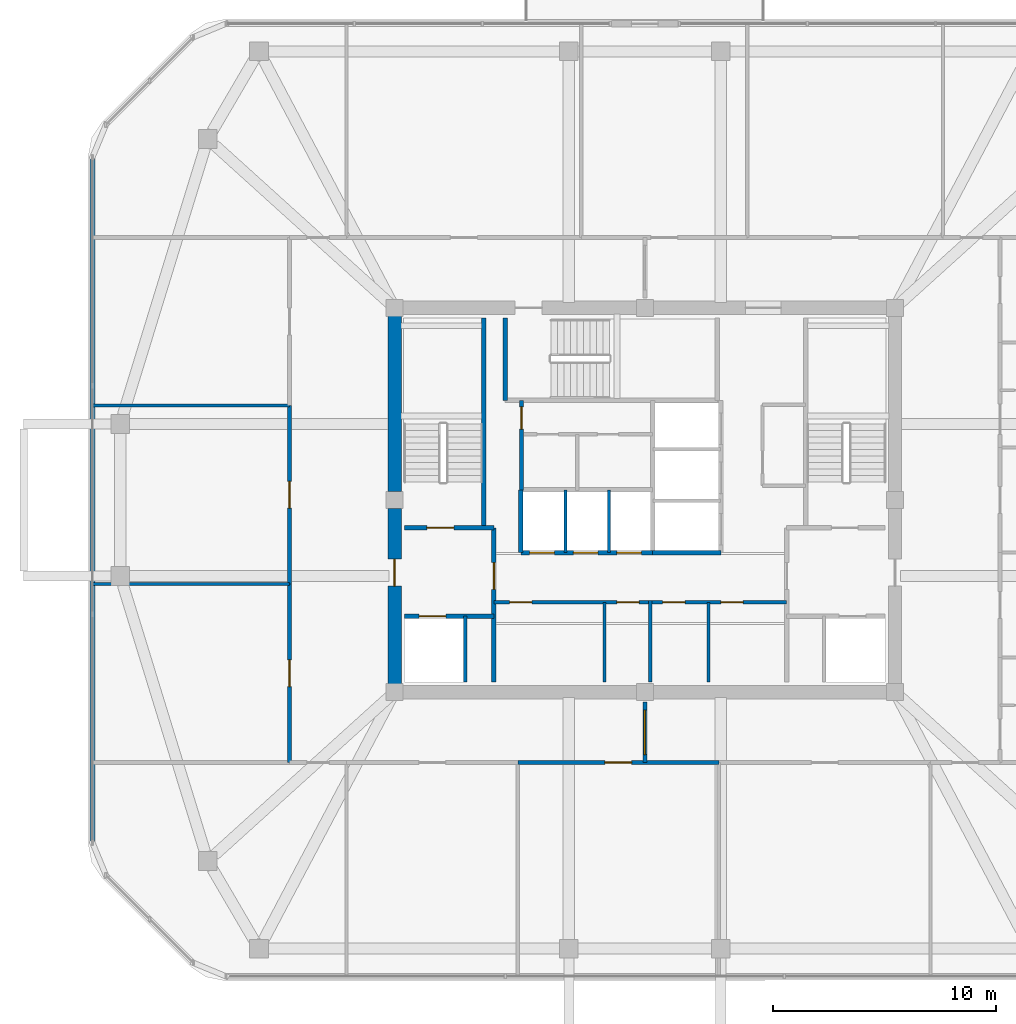
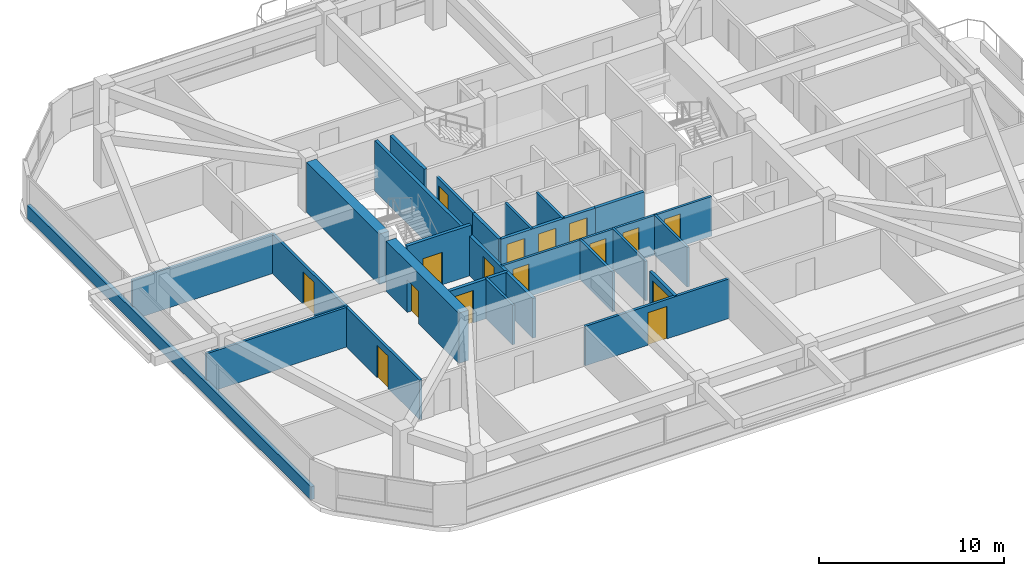
# One storey, part 9 of 14: 26 walls, 16 doors, 16 openings.
"""IFC4 building model written with IfcOpenShell, lengths in metres."""

from ifc_helpers import new_model, si_unit, derived_unit, direction, frame, frame_2d, origin, place, context, subcontext, project, spatial, rectangle, extrude, material, layer, layer_set, type_object, element, fill, save


model = new_model("IFC4")

# Units and contexts
model_context = context("Model", 3, precision=1e-05, world=origin(), true_north=direction((0.0, 1.0)))
body_context = subcontext(model_context, "Body", "Model", "MODEL_VIEW")
ifc_project = project(units=[si_unit("LENGTHUNIT", "METRE"), si_unit("AREAUNIT", "SQUARE_METRE"), si_unit("VOLUMEUNIT", "CUBIC_METRE"), si_unit("PLANEANGLEUNIT", "RADIAN"), si_unit("MASSUNIT", "GRAM", prefix="KILO"), derived_unit("THERMALTRANSMITTANCEUNIT", [(si_unit("POWERUNIT", "WATT"), 1), (si_unit("LENGTHUNIT", "METRE"), -2), (si_unit("THERMODYNAMICTEMPERATUREUNIT", "KELVIN"), -1)])], contexts=[model_context])

# Site, building, storey
site_placement = place(None, origin())
site = spatial("IfcSite", under=ifc_project, at=site_placement, CompositionType="ELEMENT")
building_placement = place(site_placement, origin())
building = spatial("IfcBuilding", under=site, at=building_placement, Name="Koralith Skygarden Medical Center", CompositionType="ELEMENT")
storey_placement = place(building_placement, frame((0.0, 0.0, 260.820068359375)))
storey = spatial("IfcBuildingStorey", under=building, at=storey_placement, Name="L67", CompositionType="ELEMENT", Elevation=260.820068359375)

# Wall, openings, doors
ifc_material_1 = material(Name="Gypsum Board Partition")
ifc_layer_1 = layer(ifc_material_1, 0.14990234375)
ifc_layer_set_1 = layer_set([ifc_layer_1], Name="Gypsum Board Partition")
wall_type_1 = type_object("IfcWallType", Name="Clinical Acoustic Partition 150", PredefinedType="PARTITIONING", material=ifc_layer_set_1)
wall_1_placement = place(storey_placement, frame((30.25, 21.320068359375, 0.0), z_axis=(0.0, 0.0, 1.0), x_axis=(1.0, 0.0, 0.0)))
wall_1 = element("IfcWall", 1, at=wall_1_placement, inside=storey, type_object=wall_type_1, Name="L67 Clinical Acoustic Partition 150 W-CORE-L67-FREED-LR-N", PredefinedType="PARTITIONING", context=body_context, shape_type="SweptSolid", body=[
    extrude(rectangle(XDim=7.0, YDim=0.14990234375, at=frame_2d((3.5, 0.0))), origin(), (0.0, 0.0, 1.0), 2.60986328125),
])
opening_1_placement = place(wall_1_placement, frame((0.699951171875, 0.0, 0.0)))
opening_1 = element("IfcOpeningElement", 2, at=opening_1_placement, cuts=wall_1, Name="Opening D-SUP", PredefinedType="OPENING", context=body_context, shape_type="SweptSolid", body=[
    extrude(rectangle(XDim=1.0, YDim=2.14990234375, at=frame_2d((0.5, 1.074951171875))), frame((0.0, 0.0849609375, 0.0), z_axis=(0.0, -1.0, 0.0), x_axis=(1.0, 0.0, 0.0)), (0.0, 0.0, 1.0), 0.169921875),
])
opening_2_placement = place(wall_1_placement, frame((5.5, 0.0, 0.0)))
opening_2 = element("IfcOpeningElement", 3, at=opening_2_placement, cuts=wall_1, Name="Opening D-SUP", PredefinedType="OPENING", context=body_context, shape_type="SweptSolid", body=[
    extrude(rectangle(XDim=1.0, YDim=2.14990234375, at=frame_2d((0.5, 1.074951171875))), frame((0.0, 0.0849609375, 0.0), z_axis=(0.0, -1.0, 0.0), x_axis=(1.0, 0.0, 0.0)), (0.0, 0.0, 1.0), 0.169921875),
])
ifc_material_2 = material(Name="Aluminium 6063-T6", Category="aluminium")
door_type_1 = type_object("IfcDoorType", Name="Clinical Support Door D-SUP 1000", OperationType="NOTDEFINED", PredefinedType="DOOR", material=ifc_material_2)
door_1_placement = place(opening_1_placement, frame((1.0, 0.0, 0.0), z_axis=(0.0, 0.0, 1.0), x_axis=(-1.0, 0.0, 0.0)))
door_1 = element("IfcDoor", 4, at=door_1_placement, inside=storey, type_object=door_type_1, Name="L67 Medication Preparation Door", OperationType="SINGLE_SWING_LEFT", OverallHeight=2.14990234375, OverallWidth=1.0, PredefinedType="DOOR", context=body_context, shape_type="SweptSolid", body=[
    extrude(rectangle(XDim=1.0, YDim=2.14990234375, at=frame_2d((0.5, 1.074951171875))), frame((0.0, 0.02490234375, 0.0), z_axis=(0.0, -1.0, 0.0), x_axis=(1.0, 0.0, 0.0)), (0.0, 0.0, 1.0), 0.050048828125),
])
fill(opening_1, door_1)
door_2_placement = place(opening_2_placement, frame((1.0, 0.0, 0.0), z_axis=(0.0, 0.0, 1.0), x_axis=(-1.0, 0.0, 0.0)))
door_2 = element("IfcDoor", 5, at=door_2_placement, inside=storey, type_object=door_type_1, Name="L67 Telemetry Room Door", OperationType="SINGLE_SWING_RIGHT", OverallHeight=2.14990234375, OverallWidth=1.0, PredefinedType="DOOR", context=body_context, shape_type="SweptSolid", body=[
    extrude(rectangle(XDim=1.0, YDim=2.14990234375, at=frame_2d((0.5, 1.074951171875))), frame((0.0, 0.02490234375, 0.0), z_axis=(0.0, -1.0, 0.0), x_axis=(1.0, 0.0, 0.0)), (0.0, 0.0, 1.0), 0.050048828125),
])
fill(opening_2, door_2)

# Wall
wall_2_placement = place(storey_placement, frame((35.199951171875, 17.75, 0.0), z_axis=(0.0, 0.0, 1.0), x_axis=(0.0, 1.0, 0.0)))
element("IfcWall", 6, at=wall_2_placement, inside=storey, type_object=wall_type_1, Name="L67 Clinical Acoustic Partition 150 W-CORE-L67-FREED-LR-M", PredefinedType="PARTITIONING", context=body_context, shape_type="SweptSolid", body=[
    extrude(rectangle(XDim=3.570068359375, YDim=0.14990234375, at=frame_2d((1.78515625, 0.0))), origin(), (0.0, 0.0, 1.0), 2.60986328125),
])

# Wall, openings, doors
wall_3_placement = place(storey_placement, frame((37.25, 21.320068359375, 0.0), z_axis=(0.0, 0.0, 1.0), x_axis=(1.0, 0.0, 0.0)))
wall_3 = element("IfcWall", 7, at=wall_3_placement, inside=storey, type_object=wall_type_1, Name="L67 Clinical Acoustic Partition 150 W-CORE-L67-FREED-MR-N", PredefinedType="PARTITIONING", context=body_context, shape_type="SweptSolid", body=[
    extrude(rectangle(XDim=6.10009765625, YDim=0.14990234375, at=frame_2d((3.050048828125, 0.0))), origin(), (0.0, 0.0, 1.0), 2.60986328125),
])
opening_3_placement = place(wall_3_placement, frame((0.550048828125, 0.0, 0.0)))
opening_3 = element("IfcOpeningElement", 8, at=opening_3_placement, cuts=wall_3, Name="Opening D-SUP", PredefinedType="OPENING", context=body_context, shape_type="SweptSolid", body=[
    extrude(rectangle(XDim=1.0, YDim=2.14990234375, at=frame_2d((0.5, 1.074951171875))), frame((0.0, 0.0849609375, 0.0), z_axis=(0.0, -1.0, 0.0), x_axis=(1.0, 0.0, 0.0)), (0.0, 0.0, 1.0), 0.169921875),
])
opening_4_placement = place(wall_3_placement, frame((3.14990234375, 0.0, 0.0)))
opening_4 = element("IfcOpeningElement", 9, at=opening_4_placement, cuts=wall_3, Name="Opening D-SUP", PredefinedType="OPENING", context=body_context, shape_type="SweptSolid", body=[
    extrude(rectangle(XDim=1.0, YDim=2.14990234375, at=frame_2d((0.5, 1.074951171875))), frame((0.0, 0.0849609375, 0.0), z_axis=(0.0, -1.0, 0.0), x_axis=(1.0, 0.0, 0.0)), (0.0, 0.0, 1.0), 0.169921875),
])
door_3_placement = place(opening_3_placement, frame((1.0, 0.0, 0.0), z_axis=(0.0, 0.0, 1.0), x_axis=(-1.0, 0.0, 0.0)))
door_3 = element("IfcDoor", 10, at=door_3_placement, inside=storey, type_object=door_type_1, Name="L67 Satellite Pharmacy Door", OperationType="SINGLE_SWING_LEFT", OverallHeight=2.14990234375, OverallWidth=1.0, PredefinedType="DOOR", context=body_context, shape_type="SweptSolid", body=[
    extrude(rectangle(XDim=1.0, YDim=2.14990234375, at=frame_2d((0.5, 1.074951171875))), frame((0.0, 0.02490234375, 0.0), z_axis=(0.0, -1.0, 0.0), x_axis=(1.0, 0.0, 0.0)), (0.0, 0.0, 1.0), 0.050048828125),
])
fill(opening_3, door_3)
door_4_placement = place(opening_4_placement, frame((1.0, 0.0, 0.0), z_axis=(0.0, 0.0, 1.0), x_axis=(-1.0, 0.0, 0.0)))
door_4 = element("IfcDoor", 11, at=door_4_placement, inside=storey, type_object=door_type_1, Name="L67 Biomedical Equipment Door", OperationType="SINGLE_SWING_RIGHT", OverallHeight=2.14990234375, OverallWidth=1.0, PredefinedType="DOOR", context=body_context, shape_type="SweptSolid", body=[
    extrude(rectangle(XDim=1.0, YDim=2.14990234375, at=frame_2d((0.5, 1.074951171875))), frame((0.0, 0.02490234375, 0.0), z_axis=(0.0, -1.0, 0.0), x_axis=(1.0, 0.0, 0.0)), (0.0, 0.0, 1.0), 0.050048828125),
])
fill(opening_4, door_4)

# Walls
wall_4_placement = place(storey_placement, frame((39.85009765625, 17.75, 0.0), z_axis=(0.0, 0.0, 1.0), x_axis=(0.0, 1.0, 0.0)))
element("IfcWall", 12, at=wall_4_placement, inside=storey, type_object=wall_type_1, Name="L67 Clinical Acoustic Partition 150 W-CORE-L67-FREED-MR-M", PredefinedType="PARTITIONING", context=body_context, shape_type="SweptSolid", body=[
    extrude(rectangle(XDim=3.570068359375, YDim=0.14990234375, at=frame_2d((1.78515625, 0.0))), origin(), (0.0, 0.0, 1.0), 2.60986328125),
])
for number, where, z_axis, x_axis, name in (
    (13, (21.10009765625, 22.139892578125, 0.0), (0.0, 0.0, 1.0), (-1.0, 0.0, 0.0), "L67 Clinical Acoustic Partition 150 W-PART-L67-W-01"),
    (14, (21.10009765625, 30.1298828125, 0.0), (0.0, 0.0, 1.0), (-1.0, 0.0, 0.0), "L67 Clinical Acoustic Partition 150 W-PART-L67-W-02"),
):
    element("IfcWall", number, at=place(storey_placement, frame(where, z_axis=z_axis, x_axis=x_axis)), inside=storey, type_object=wall_type_1, Name=name, PredefinedType="PARTITIONING", context=body_context, shape_type="SweptSolid", body=[
        extrude(rectangle(XDim=8.800048828125, YDim=0.14990234375, at=frame_2d((4.39990234375, 0.0))), origin(), (0.0, 0.0, 1.0), 2.60986328125),
    ])

# Wall, opening, door
ifc_layer_2 = layer(ifc_material_1, 0.1650390625)
ifc_layer_set_2 = layer_set([ifc_layer_2], Name="Gypsum Board Partition")
wall_type_2 = type_object("IfcWallType", Name="Clinical Corridor Partition 165", PredefinedType="PARTITIONING", material=ifc_layer_set_2)
wall_5_placement = place(storey_placement, frame((31.31689453125, 14.14990234375, 0.0), z_axis=(0.0, 0.0, 1.0), x_axis=(1.0, 0.0, 0.0)))
wall_5 = element("IfcWall", 15, at=wall_5_placement, inside=storey, type_object=wall_type_2, Name="L67 Clinical Corridor Partition 165 W-CORR-L67-S-03", PredefinedType="PARTITIONING", context=body_context, shape_type="SweptSolid", body=[
    extrude(rectangle(XDim=8.998046875, YDim=0.1650390625, at=frame_2d((4.4990234375, 0.0))), origin(), (0.0, 0.0, 1.0), 2.60986328125),
])
opening_5_placement = place(wall_5_placement, frame((3.89892578125, 0.0, 0.0)))
opening_5 = element("IfcOpeningElement", 16, at=opening_5_placement, cuts=wall_5, Name="Opening D-CLN", PredefinedType="OPENING", context=body_context, shape_type="SweptSolid", body=[
    extrude(rectangle(XDim=1.199951171875, YDim=2.14990234375, at=frame_2d((0.60009765625, 1.074951171875))), frame((0.0, 0.092529296875, 0.0), z_axis=(0.0, -1.0, 0.0), x_axis=(1.0, 0.0, 0.0)), (0.0, 0.0, 1.0), 0.18505859375),
])
door_type_2 = type_object("IfcDoorType", Name="Clinical Corridor Door D-CLN 1200", OperationType="NOTDEFINED", PredefinedType="DOOR", material=ifc_material_2)
door_5_placement = place(opening_5_placement, frame((1.199951171875, 0.0, 0.0), z_axis=(0.0, 0.0, 1.0), x_axis=(-1.0, 0.0, 0.0)))
door_5 = element("IfcDoor", 17, at=door_5_placement, inside=storey, type_object=door_type_2, Name="L67 Staff Hydration Pantry 08 Door", OperationType="SINGLE_SWING_LEFT", OverallHeight=2.14990234375, OverallWidth=1.199951171875, PredefinedType="DOOR", context=body_context, shape_type="SweptSolid", body=[
    extrude(rectangle(XDim=1.199951171875, YDim=2.14990234375, at=frame_2d((0.60009765625, 1.074951171875))), frame((0.0, 0.02490234375, 0.0), z_axis=(0.0, -1.0, 0.0), x_axis=(1.0, 0.0, 0.0)), (0.0, 0.0, 1.0), 0.050048828125),
])
fill(opening_5, door_5)

wall_6_placement = place(storey_placement, frame((21.10009765625, 14.14990234375, 0.0), z_axis=(0.0, 0.0, 1.0), x_axis=(0.0, 1.0, 0.0)))
wall_6 = element("IfcWall", 18, at=wall_6_placement, inside=storey, type_object=wall_type_2, Name="L67 Clinical Corridor Partition 165 W-CORR-L67-W-01", PredefinedType="PARTITIONING", context=body_context, shape_type="SweptSolid", body=[
    extrude(rectangle(XDim=7.989990234375, YDim=0.1650390625, at=frame_2d((3.9951171875, 0.0))), origin(), (0.0, 0.0, 1.0), 2.60986328125),
])
opening_6_placement = place(wall_6_placement, frame((3.39501953125, 0.0, 0.0)))
opening_6 = element("IfcOpeningElement", 19, at=opening_6_placement, cuts=wall_6, Name="Opening D-CLN", PredefinedType="OPENING", context=body_context, shape_type="SweptSolid", body=[
    extrude(rectangle(XDim=1.199951171875, YDim=2.14990234375, at=frame_2d((0.60009765625, 1.074951171875))), frame((0.0, 0.092529296875, 0.0), z_axis=(0.0, -1.0, 0.0), x_axis=(1.0, 0.0, 0.0)), (0.0, 0.0, 1.0), 0.18505859375),
])
door_6_placement = place(opening_6_placement, frame((1.199951171875, 0.0, 0.0), z_axis=(0.0, 0.0, 1.0), x_axis=(-1.0, 0.0, 0.0)))
door_6 = element("IfcDoor", 20, at=door_6_placement, inside=storey, type_object=door_type_2, Name="L67 PPE Isolation Supply Store 11 Door", OperationType="SINGLE_SWING_RIGHT", OverallHeight=2.14990234375, OverallWidth=1.199951171875, PredefinedType="DOOR", context=body_context, shape_type="SweptSolid", body=[
    extrude(rectangle(XDim=1.199951171875, YDim=2.14990234375, at=frame_2d((0.60009765625, 1.074951171875))), frame((0.0, 0.02490234375, 0.0), z_axis=(0.0, -1.0, 0.0), x_axis=(1.0, 0.0, 0.0)), (0.0, 0.0, 1.0), 0.050048828125),
])
fill(opening_6, door_6)

wall_7_placement = place(storey_placement, frame((21.10009765625, 22.139892578125, 0.0), z_axis=(0.0, 0.0, 1.0), x_axis=(0.0, 1.0, 0.0)))
wall_7 = element("IfcWall", 21, at=wall_7_placement, inside=storey, type_object=wall_type_2, Name="L67 Clinical Corridor Partition 165 W-CORR-L67-W-02", PredefinedType="PARTITIONING", context=body_context, shape_type="SweptSolid", body=[
    extrude(rectangle(XDim=7.989990234375, YDim=0.1650390625, at=frame_2d((3.9951171875, 0.0))), origin(), (0.0, 0.0, 1.0), 2.60986328125),
])
opening_7_placement = place(wall_7_placement, frame((3.39501953125, 0.0, 0.0)))
opening_7 = element("IfcOpeningElement", 22, at=opening_7_placement, cuts=wall_7, Name="Opening D-CLN", PredefinedType="OPENING", context=body_context, shape_type="SweptSolid", body=[
    extrude(rectangle(XDim=1.199951171875, YDim=2.14990234375, at=frame_2d((0.60009765625, 1.074951171875))), frame((0.0, 0.092529296875, 0.0), z_axis=(0.0, -1.0, 0.0), x_axis=(1.0, 0.0, 0.0)), (0.0, 0.0, 1.0), 0.18505859375),
])
door_7_placement = place(opening_7_placement, frame((1.199951171875, 0.0, 0.0), z_axis=(0.0, 0.0, 1.0), x_axis=(-1.0, 0.0, 0.0)))
door_7 = element("IfcDoor", 23, at=door_7_placement, inside=storey, type_object=door_type_2, Name="L67 Staff Hydration Pantry 12 Door", OperationType="SINGLE_SWING_LEFT", OverallHeight=2.14990234375, OverallWidth=1.199951171875, PredefinedType="DOOR", context=body_context, shape_type="SweptSolid", body=[
    extrude(rectangle(XDim=1.199951171875, YDim=2.14990234375, at=frame_2d((0.60009765625, 1.074951171875))), frame((0.0, 0.02490234375, 0.0), z_axis=(0.0, -1.0, 0.0), x_axis=(1.0, 0.0, 0.0)), (0.0, 0.0, 1.0), 0.050048828125),
])
fill(opening_7, door_7)

ifc_layer_3 = layer(ifc_material_1, 0.199951171875)
ifc_layer_set_3 = layer_set([ifc_layer_3], Name="Gypsum Board Partition")
wall_type_3 = type_object("IfcWallType", Name="Fire Shaft Wall 200", PredefinedType="SOLIDWALL", material=ifc_layer_set_3)
wall_8_placement = place(storey_placement, frame((26.25, 20.699951171875, 0.0), z_axis=(0.0, 0.0, 1.0), x_axis=(1.0, 0.0, 0.0)))
wall_8 = element("IfcWall", 24, at=wall_8_placement, inside=storey, type_object=wall_type_3, Name="L67 Fire Shaft Wall 200 W-CORE-L67-FF1-N", PredefinedType="SOLIDWALL", context=body_context, shape_type="SweptSolid", body=[
    extrude(rectangle(XDim=4.0, YDim=0.199951171875, at=frame_2d((2.0, 0.0))), origin(), (0.0, 0.0, 1.0), 2.60986328125),
])
opening_8_placement = place(wall_8_placement, frame((0.64990234375, 0.0, 0.0)))
opening_8 = element("IfcOpeningElement", 25, at=opening_8_placement, cuts=wall_8, Name="Opening LD-FF", PredefinedType="OPENING", context=body_context, shape_type="SweptSolid", body=[
    extrude(rectangle(XDim=1.199951171875, YDim=2.14990234375, at=frame_2d((0.60009765625, 1.074951171875))), frame((0.0, 0.10986328125, 0.0), z_axis=(0.0, -1.0, 0.0), x_axis=(1.0, 0.0, 0.0)), (0.0, 0.0, 1.0), 0.219970703125),
])
ifc_material_3 = material(Name="Steel ASTM A500 Grade C", Category="steel")
door_type_3 = type_object("IfcDoorType", Name="Fire Lift Sliding Landing Door LD-FF 1200", OperationType="NOTDEFINED", PredefinedType="DOOR", material=ifc_material_3)
door_8_placement = place(opening_8_placement, origin())
door_8 = element("IfcDoor", 26, at=door_8_placement, inside=storey, type_object=door_type_3, Name="L67 Fire Service Elevator FF1 Landing Door", OperationType="SLIDING_TO_LEFT", OverallHeight=2.14990234375, OverallWidth=1.199951171875, PredefinedType="DOOR", context=body_context, shape_type="SweptSolid", body=[
    extrude(rectangle(XDim=1.199951171875, YDim=2.14990234375, at=frame_2d((0.60009765625, 1.074951171875))), frame((0.0, 0.02490234375, 0.0), z_axis=(0.0, -1.0, 0.0), x_axis=(1.0, 0.0, 0.0)), (0.0, 0.0, 1.0), 0.050048828125),
])
fill(opening_8, door_8)

wall_9_placement = place(storey_placement, frame((30.25, 17.75, 0.0), z_axis=(0.0, 0.0, 1.0), x_axis=(0.0, 1.0, 0.0)))
wall_9 = element("IfcWall", 27, at=wall_9_placement, inside=storey, type_object=wall_type_3, Name="L67 Fire Shaft Wall 200 W-CORE-L67-FSAEW-E", PredefinedType="SOLIDWALL", context=body_context, shape_type="SweptSolid", body=[
    extrude(rectangle(XDim=6.89990234375, YDim=0.199951171875, at=frame_2d((3.449951171875, 0.0))), origin(), (0.0, 0.0, 1.0), 2.60986328125),
])
opening_9_placement = place(wall_9_placement, frame((4.14990234375, 0.0, 0.0)))
opening_9 = element("IfcOpeningElement", 28, at=opening_9_placement, cuts=wall_9, Name="Opening D-ST60", PredefinedType="OPENING", context=body_context, shape_type="SweptSolid", body=[
    extrude(rectangle(XDim=1.199951171875, YDim=2.14990234375, at=frame_2d((0.60009765625, 1.074951171875))), frame((0.0, 0.10986328125, 0.0), z_axis=(0.0, -1.0, 0.0), x_axis=(1.0, 0.0, 0.0)), (0.0, 0.0, 1.0), 0.219970703125),
])
door_type_4 = type_object("IfcDoorType", Name="Smokeproof Stair Fire Door FD60S 1200", OperationType="NOTDEFINED", PredefinedType="DOOR", material=ifc_material_3)
door_9_placement = place(opening_9_placement, origin())
door_9 = element("IfcDoor", 29, at=door_9_placement, inside=storey, type_object=door_type_4, Name="L67 West Firefighting Lobby Inner Fire Door", OperationType="SINGLE_SWING_LEFT", OverallHeight=2.14990234375, OverallWidth=1.199951171875, PredefinedType="DOOR", context=body_context, shape_type="SweptSolid", body=[
    extrude(rectangle(XDim=1.199951171875, YDim=2.14990234375, at=frame_2d((0.60009765625, 1.074951171875))), frame((0.0, 0.02490234375, 0.0), z_axis=(0.0, -1.0, 0.0), x_axis=(1.0, 0.0, 0.0)), (0.0, 0.0, 1.0), 0.050048828125),
])
fill(opening_9, door_9)

# Wall, openings, doors
wall_10_placement = place(storey_placement, frame((31.449951171875, 23.5400390625, 0.0), z_axis=(0.0, 0.0, 1.0), x_axis=(1.0, 0.0, 0.0)))
wall_10 = element("IfcWall", 30, at=wall_10_placement, inside=storey, type_object=wall_type_3, Name="L67 Fire Shaft Wall 200 W-CORE-L67-PH-S", PredefinedType="SOLIDWALL", context=body_context, shape_type="SweptSolid", body=[
    extrude(rectangle(XDim=5.900146484375, YDim=0.199951171875, at=frame_2d((2.9501953125, 0.0))), origin(), (0.0, 0.0, 1.0), 2.60986328125),
])
opening_10_placement = place(wall_10_placement, frame((0.39990234375, 0.0, 0.0)))
opening_10 = element("IfcOpeningElement", 31, at=opening_10_placement, cuts=wall_10, Name="Opening LD-P", PredefinedType="OPENING", context=body_context, shape_type="SweptSolid", body=[
    extrude(rectangle(XDim=1.10009765625, YDim=2.14990234375, at=frame_2d((0.550048828125, 1.074951171875))), frame((0.0, 0.10986328125, 0.0), z_axis=(0.0, -1.0, 0.0), x_axis=(1.0, 0.0, 0.0)), (0.0, 0.0, 1.0), 0.219970703125),
])
opening_11_placement = place(wall_10_placement, frame((2.35009765625, 0.0, 0.0)))
opening_11 = element("IfcOpeningElement", 32, at=opening_11_placement, cuts=wall_10, Name="Opening LD-P", PredefinedType="OPENING", context=body_context, shape_type="SweptSolid", body=[
    extrude(rectangle(XDim=1.10009765625, YDim=2.14990234375, at=frame_2d((0.550048828125, 1.074951171875))), frame((0.0, 0.10986328125, 0.0), z_axis=(0.0, -1.0, 0.0), x_axis=(1.0, 0.0, 0.0)), (0.0, 0.0, 1.0), 0.219970703125),
])
opening_12_placement = place(wall_10_placement, frame((4.300048828125, 0.0, 0.0)))
opening_12 = element("IfcOpeningElement", 33, at=opening_12_placement, cuts=wall_10, Name="Opening LD-P", PredefinedType="OPENING", context=body_context, shape_type="SweptSolid", body=[
    extrude(rectangle(XDim=1.10009765625, YDim=2.14990234375, at=frame_2d((0.550048828125, 1.074951171875))), frame((0.0, 0.10986328125, 0.0), z_axis=(0.0, -1.0, 0.0), x_axis=(1.0, 0.0, 0.0)), (0.0, 0.0, 1.0), 0.219970703125),
])
door_type_5 = type_object("IfcDoorType", Name="Passenger Lift Sliding Landing Door LD-P 1100", OperationType="NOTDEFINED", PredefinedType="DOOR", material=ifc_material_3)
door_10_placement = place(opening_10_placement, origin())
door_10 = element("IfcDoor", 34, at=door_10_placement, inside=storey, type_object=door_type_5, Name="L67 Passenger Elevator PH1 Landing Door", OperationType="SLIDING_TO_RIGHT", OverallHeight=2.14990234375, OverallWidth=1.10009765625, PredefinedType="DOOR", context=body_context, shape_type="SweptSolid", body=[
    extrude(rectangle(XDim=1.10009765625, YDim=2.14990234375, at=frame_2d((0.550048828125, 1.074951171875))), frame((0.0, 0.02490234375, 0.0), z_axis=(0.0, -1.0, 0.0), x_axis=(1.0, 0.0, 0.0)), (0.0, 0.0, 1.0), 0.050048828125),
])
fill(opening_10, door_10)
door_11_placement = place(opening_11_placement, origin())
door_11 = element("IfcDoor", 35, at=door_11_placement, inside=storey, type_object=door_type_5, Name="L67 Passenger Elevator PH2 Landing Door", OperationType="SLIDING_TO_RIGHT", OverallHeight=2.14990234375, OverallWidth=1.10009765625, PredefinedType="DOOR", context=body_context, shape_type="SweptSolid", body=[
    extrude(rectangle(XDim=1.10009765625, YDim=2.14990234375, at=frame_2d((0.550048828125, 1.074951171875))), frame((0.0, 0.02490234375, 0.0), z_axis=(0.0, -1.0, 0.0), x_axis=(1.0, 0.0, 0.0)), (0.0, 0.0, 1.0), 0.050048828125),
])
fill(opening_11, door_11)
door_12_placement = place(opening_12_placement, origin())
door_12 = element("IfcDoor", 36, at=door_12_placement, inside=storey, type_object=door_type_5, Name="L67 Passenger Elevator PH3 Landing Door", OperationType="SLIDING_TO_RIGHT", OverallHeight=2.14990234375, OverallWidth=1.10009765625, PredefinedType="DOOR", context=body_context, shape_type="SweptSolid", body=[
    extrude(rectangle(XDim=1.10009765625, YDim=2.14990234375, at=frame_2d((0.550048828125, 1.074951171875))), frame((0.0, 0.02490234375, 0.0), z_axis=(0.0, -1.0, 0.0), x_axis=(1.0, 0.0, 0.0)), (0.0, 0.0, 1.0), 0.050048828125),
])
fill(opening_12, door_12)

# Walls
wall_11_placement = place(storey_placement, frame((31.449951171875, 23.5400390625, 0.0), z_axis=(0.0, 0.0, 1.0), x_axis=(0.0, 1.0, 0.0)))
element("IfcWall", 37, at=wall_11_placement, inside=storey, type_object=wall_type_3, Name="L67 Fire Shaft Wall 200 W-CORE-L67-PH-W", PredefinedType="SOLIDWALL", context=body_context, shape_type="SweptSolid", body=[
    extrude(rectangle(XDim=2.81005859375, YDim=0.199951171875, at=frame_2d((1.405029296875, 0.0))), origin(), (0.0, 0.0, 1.0), 2.60986328125),
])
wall_12_placement = place(storey_placement, frame((37.35009765625, 23.5400390625, 0.0), z_axis=(0.0, 0.0, 1.0), x_axis=(1.0, 0.0, 0.0)))
element("IfcWall", 38, at=wall_12_placement, inside=storey, type_object=wall_type_3, Name="L67 Fire Shaft Wall 200 W-CORE-L67-SV-S", PredefinedType="SOLIDWALL", context=body_context, shape_type="SweptSolid", body=[
    extrude(rectangle(XDim=3.0498046875, YDim=0.199951171875, at=frame_2d((1.52490234375, 0.0))), origin(), (0.0, 0.0, 1.0), 2.60986328125),
])

# Wall, opening, door
ifc_layer_4 = layer(ifc_material_1, 0.179931640625)
ifc_layer_set_4 = layer_set([ifc_layer_4], Name="Gypsum Board Partition")
wall_type_4 = type_object("IfcWallType", Name="Group I-2 Smoke Barrier Wall 180", PredefinedType="PARTITIONING", material=ifc_layer_set_4)
wall_13_placement = place(storey_placement, frame((37.0, 14.14990234375, 0.0), z_axis=(0.0, 0.0, 1.0), x_axis=(0.0, 1.0, 0.0)))
wall_13 = element("IfcWall", 39, at=wall_13_placement, inside=storey, type_object=wall_type_4, Name="L67 Group I-2 Smoke Barrier Wall 180 W-SMK-L67-S", PredefinedType="PARTITIONING", context=body_context, shape_type="SweptSolid", body=[
    extrude(rectangle(XDim=2.7001953125, YDim=0.179931640625, at=frame_2d((1.35009765625, 0.0))), origin(), (0.0, 0.0, 1.0), 2.60986328125),
])
opening_13_placement = place(wall_13_placement, frame((0.35009765625, 0.0, 0.0)))
opening_13 = element("IfcOpeningElement", 40, at=opening_13_placement, cuts=wall_13, Name="Opening D-SMK", PredefinedType="OPENING", context=body_context, shape_type="SweptSolid", body=[
    extrude(rectangle(XDim=2.0, YDim=2.199951171875, at=frame_2d((1.0, 1.10009765625))), frame((0.0, 0.099853515625, 0.0), z_axis=(0.0, -1.0, 0.0), x_axis=(1.0, 0.0, 0.0)), (0.0, 0.0, 1.0), 0.199951171875),
])
door_type_6 = type_object("IfcDoorType", Name="Cross-Corridor Double Smoke Door FD60S 2000", OperationType="NOTDEFINED", PredefinedType="DOOR", material=ifc_material_3)
door_13_placement = place(opening_13_placement, frame((2.0, 0.0, 0.0), z_axis=(0.0, 0.0, 1.0), x_axis=(-1.0, 0.0, 0.0)))
door_13 = element("IfcDoor", 41, at=door_13_placement, inside=storey, type_object=door_type_6, Name="L67 S Smoke Compartment Cross-Corridor Door", OperationType="DOUBLE_DOOR_SINGLE_SWING", OverallHeight=2.199951171875, OverallWidth=2.0, PredefinedType="DOOR", context=body_context, shape_type="SweptSolid", body=[
    extrude(rectangle(XDim=2.0, YDim=2.199951171875, at=frame_2d((1.0, 1.10009765625))), frame((0.0, 0.02490234375, 0.0), z_axis=(0.0, -1.0, 0.0), x_axis=(1.0, 0.0, 0.0)), (0.0, 0.0, 1.0), 0.050048828125),
])
fill(opening_13, door_13)

# Wall
ifc_material_4 = material(Name="Warm Oolitic Limestone Cladding", Category="masonry")
ifc_layer_5 = layer(ifc_material_4, 0.239990234375)
ifc_layer_set_5 = layer_set([ifc_layer_5], Name="Warm Oolitic Limestone Cladding")
wall_type_5 = type_object("IfcWallType", Name="Limestone Spandrel Sill Backup Wall 240", PredefinedType="SOLIDWALL", material=ifc_layer_set_5)
wall_14_placement = place(storey_placement, frame((12.280029296875, 41.2451171875, 0.0), z_axis=(0.0, 0.0, 1.0), x_axis=(0.0, -1.0, 0.0)))
element("IfcWall", 42, at=wall_14_placement, inside=storey, type_object=wall_type_5, Name="L67 Sill Spandrel W", PredefinedType="SOLIDWALL", context=body_context, shape_type="SweptSolid", body=[
    extrude(rectangle(XDim=30.690185546875, YDim=0.239990234375, at=frame_2d((15.34521484375, 0.0))), origin(), (0.0, 0.0, 1.0), 0.849853515625),
])

# Wall, opening, door
ifc_layer_6 = layer(ifc_material_1, 0.1650390625)
ifc_layer_set_6 = layer_set([ifc_layer_6], Name="Gypsum Board Partition")
wall_type_6 = type_object("IfcWallType", Name="Plumbing Wet Wall 165", PredefinedType="PLUMBINGWALL", material=ifc_layer_set_6)
wall_15_placement = place(storey_placement, frame((31.47998046875, 26.320068359375, 0.0), z_axis=(0.0, 0.0, 1.0), x_axis=(0.0, 1.0, 0.0)))
wall_15 = element("IfcWall", 43, at=wall_15_placement, inside=storey, type_object=wall_type_6, Name="L67 Plumbing Wet Wall 165 W-CORE-L67-FLEX-W", PredefinedType="PLUMBINGWALL", context=body_context, shape_type="SweptSolid", body=[
    extrude(rectangle(XDim=4.0400390625, YDim=0.1650390625, at=frame_2d((2.02001953125, 0.0))), origin(), (0.0, 0.0, 1.0), 2.60986328125),
])
opening_14_placement = place(wall_15_placement, frame((2.75, 0.0, 0.0)))
opening_14 = element("IfcOpeningElement", 44, at=opening_14_placement, cuts=wall_15, Name="Opening D-SUP", PredefinedType="OPENING", context=body_context, shape_type="SweptSolid", body=[
    extrude(rectangle(XDim=1.0, YDim=2.14990234375, at=frame_2d((0.5, 1.074951171875))), frame((0.0, 0.092529296875, 0.0), z_axis=(0.0, -1.0, 0.0), x_axis=(1.0, 0.0, 0.0)), (0.0, 0.0, 1.0), 0.18505859375),
])
door_14_placement = place(opening_14_placement, frame((1.0, 0.0, 0.0), z_axis=(0.0, 0.0, 1.0), x_axis=(-1.0, 0.0, 0.0)))
door_14 = element("IfcDoor", 45, at=door_14_placement, inside=storey, type_object=door_type_1, Name="L67 Core Utility Alcove Door", OperationType="SINGLE_SWING_RIGHT", OverallHeight=2.14990234375, OverallWidth=1.0, PredefinedType="DOOR", context=body_context, shape_type="SweptSolid", body=[
    extrude(rectangle(XDim=1.0, YDim=2.14990234375, at=frame_2d((0.5, 1.074951171875))), frame((0.0, 0.02490234375, 0.0), z_axis=(0.0, -1.0, 0.0), x_axis=(1.0, 0.0, 0.0)), (0.0, 0.0, 1.0), 0.050048828125),
])
fill(opening_14, door_14)

# Walls
ifc_layer_7 = layer(ifc_material_1, 0.14990234375)
ifc_layer_set_7 = layer_set([ifc_layer_7], Name="Gypsum Board Partition")
wall_type_7 = type_object("IfcWallType", Name="Shaft Partition Wall 150", PredefinedType="PARTITIONING", material=ifc_layer_set_7)
wall_16_placement = place(storey_placement, frame((28.969970703125, 17.75, 0.0), z_axis=(0.0, 0.0, 1.0), x_axis=(0.0, 1.0, 0.0)))
element("IfcWall", 46, at=wall_16_placement, inside=storey, type_object=wall_type_7, Name="L67 Shaft Partition Wall 150 W-CORE-L67-RSRW-DIV", PredefinedType="PARTITIONING", context=body_context, shape_type="SweptSolid", body=[
    extrude(rectangle(XDim=2.949951171875, YDim=0.14990234375, at=frame_2d((1.47509765625, 0.0))), origin(), (0.0, 0.0, 1.0), 2.60986328125),
])
wall_17_placement = place(storey_placement, frame((37.25, 17.75, 0.0), z_axis=(0.0, 0.0, 1.0), x_axis=(0.0, 1.0, 0.0)))
element("IfcWall", 47, at=wall_17_placement, inside=storey, type_object=wall_type_7, Name="L67 Shaft Partition Wall 150 W-CORE-L67-PL-PM-SEP", PredefinedType="PARTITIONING", context=body_context, shape_type="SweptSolid", body=[
    extrude(rectangle(XDim=3.64990234375, YDim=0.14990234375, at=frame_2d((1.824951171875, 0.0))), origin(), (0.0, 0.0, 1.0), 2.60986328125),
])
for number, where, z_axis, x_axis, name in (
    (48, (33.449951171875, 23.5400390625, 0.0), (0.0, 0.0, 1.0), (0.0, 1.0, 0.0), "L67 Shaft Partition Wall 150 W-CORE-L67-PH-D1"),
    (49, (35.39990234375, 23.5400390625, 0.0), (0.0, 0.0, 1.0), (0.0, 1.0, 0.0), "L67 Shaft Partition Wall 150 W-CORE-L67-PH-D2"),
):
    element("IfcWall", number, at=place(storey_placement, frame(where, z_axis=z_axis, x_axis=x_axis)), inside=storey, type_object=wall_type_7, Name=name, PredefinedType="PARTITIONING", context=body_context, shape_type="SweptSolid", body=[
        extrude(rectangle(XDim=2.81005859375, YDim=0.14990234375, at=frame_2d((1.405029296875, 0.0))), origin(), (0.0, 0.0, 1.0), 2.60986328125),
    ])
ifc_material_5 = material(Name="Concrete C45/55", Category="concrete")
ifc_layer_8 = layer(ifc_material_5, 0.199951171875)
ifc_layer_set_8 = layer_set([ifc_layer_8], Name="Concrete C45/55")
wall_type_8 = type_object("IfcWallType", Name="Structural Stair Shaft Wall 200", PredefinedType="SHEAR", material=ifc_layer_set_8)
wall_18_placement = place(storey_placement, frame((29.800048828125, 24.64990234375, 0.0), z_axis=(0.0, 0.0, 1.0), x_axis=(0.0, 1.0, 0.0)))
element("IfcWall", 50, at=wall_18_placement, inside=storey, type_object=wall_type_8, Name="L67 Structural Stair Shaft Wall 200 W-CORE-L67-ST1-E", PredefinedType="SHEAR", context=body_context, shape_type="SweptSolid", body=[
    extrude(rectangle(XDim=9.400146484375, YDim=0.199951171875, at=frame_2d((4.7001953125, 0.0))), origin(), (0.0, 0.0, 1.0), 3.31982421875),
])

# Wall, opening, door
wall_19_placement = place(storey_placement, frame((26.25, 24.64990234375, 0.0), z_axis=(0.0, 0.0, 1.0), x_axis=(1.0, 0.0, 0.0)))
wall_19 = element("IfcWall", 51, at=wall_19_placement, inside=storey, type_object=wall_type_8, Name="L67 Structural Stair Shaft Wall 200 W-CORE-L67-ST1-S", PredefinedType="SHEAR", context=body_context, shape_type="SweptSolid", body=[
    extrude(rectangle(XDim=4.0, YDim=0.199951171875, at=frame_2d((2.0, 0.0))), origin(), (0.0, 0.0, 1.0), 3.31982421875),
])
opening_15_placement = place(wall_19_placement, frame((1.0, 0.0, 0.0)))
opening_15 = element("IfcOpeningElement", 52, at=opening_15_placement, cuts=wall_19, Name="Opening D-ST60", PredefinedType="OPENING", context=body_context, shape_type="SweptSolid", body=[
    extrude(rectangle(XDim=1.199951171875, YDim=2.14990234375, at=frame_2d((0.60009765625, 1.074951171875))), frame((0.0, 0.10986328125, 0.0), z_axis=(0.0, -1.0, 0.0), x_axis=(1.0, 0.0, 0.0)), (0.0, 0.0, 1.0), 0.219970703125),
])
door_15_placement = place(opening_15_placement, origin())
door_15 = element("IfcDoor", 53, at=door_15_placement, inside=storey, type_object=door_type_4, Name="L67 Exit Stair ST1 Fire Door", OperationType="SINGLE_SWING_LEFT", OverallHeight=2.14990234375, OverallWidth=1.199951171875, PredefinedType="DOOR", context=body_context, shape_type="SweptSolid", body=[
    extrude(rectangle(XDim=1.199951171875, YDim=2.14990234375, at=frame_2d((0.60009765625, 1.074951171875))), frame((0.0, 0.02490234375, 0.0), z_axis=(0.0, -1.0, 0.0), x_axis=(1.0, 0.0, 0.0)), (0.0, 0.0, 1.0), 0.050048828125),
])
fill(opening_15, door_15)

# Walls
wall_20_placement = place(storey_placement, frame((30.75, 30.360107421875, 0.0), z_axis=(0.0, 0.0, 1.0), x_axis=(0.0, 1.0, 0.0)))
element("IfcWall", 54, at=wall_20_placement, inside=storey, type_object=wall_type_8, Name="L67 Structural Stair Shaft Wall 200 W-CORE-L67-ST3-W", PredefinedType="SHEAR", context=body_context, shape_type="SweptSolid", body=[
    extrude(rectangle(XDim=3.68994140625, YDim=0.199951171875, at=frame_2d((1.844970703125, 0.0))), origin(), (0.0, 0.0, 1.0), 3.31982421875),
])
ifc_material_6 = material(Name="Concrete C55/67", Category="concrete")
ifc_layer_9 = layer(ifc_material_6, 0.60009765625)
ifc_layer_set_9 = layer_set([ifc_layer_9], Name="Concrete C55/67")
wall_type_9 = type_object("IfcWallType", Name="Upper Core Shear Wall 600", PredefinedType="SHEAR", material=ifc_layer_set_9)
wall_21_placement = place(storey_placement, frame((25.800048828125, 34.125, 0.0), z_axis=(0.0, 0.0, 1.0), x_axis=(0.0, -1.0, 0.0)))
element("IfcWall", 55, at=wall_21_placement, inside=storey, type_object=wall_type_9, Name="L67 Core Shear Wall Segment 7", PredefinedType="SHEAR", context=body_context, shape_type="SweptSolid", body=[
    extrude(rectangle(XDim=7.85009765625, YDim=0.60009765625, at=frame_2d((3.925048828125, 0.0))), origin(), (0.0, 0.0, 1.0), 3.31982421875),
])

# Wall, opening, door
wall_22_placement = place(storey_placement, frame((25.800048828125, 25.52490234375, 0.0), z_axis=(0.0, 0.0, 1.0), x_axis=(0.0, -1.0, 0.0)))
wall_22 = element("IfcWall", 56, at=wall_22_placement, inside=storey, type_object=wall_type_9, Name="L67 Core Shear Wall Segment 8", PredefinedType="SHEAR", context=body_context, shape_type="SweptSolid", body=[
    extrude(rectangle(XDim=7.849853515625, YDim=0.60009765625, at=frame_2d((3.9248046875, 0.0))), origin(), (0.0, 0.0, 1.0), 3.31982421875),
])
opening_16_placement = place(wall_22_placement, frame((2.27490234375, 0.0, 0.0)))
opening_16 = element("IfcOpeningElement", 57, at=opening_16_placement, cuts=wall_22, Name="Opening D-ST60", PredefinedType="OPENING", context=body_context, shape_type="SweptSolid", body=[
    extrude(rectangle(XDim=1.199951171875, YDim=2.14990234375, at=frame_2d((0.60009765625, 1.074951171875))), frame((0.0, 0.31005859375, 0.0), z_axis=(0.0, -1.0, 0.0), x_axis=(1.0, 0.0, 0.0)), (0.0, 0.0, 1.0), 0.6201171875),
])
door_16_placement = place(opening_16_placement, frame((1.199951171875, 0.0, 0.0), z_axis=(0.0, 0.0, 1.0), x_axis=(-1.0, 0.0, 0.0)))
door_16 = element("IfcDoor", 58, at=door_16_placement, inside=storey, type_object=door_type_4, Name="L67 West Corridor to Firefighting Lobby Door", OperationType="SINGLE_SWING_LEFT", OverallHeight=2.14990234375, OverallWidth=1.199951171875, PredefinedType="DOOR", context=body_context, shape_type="SweptSolid", body=[
    extrude(rectangle(XDim=1.199951171875, YDim=2.14990234375, at=frame_2d((0.60009765625, 1.074951171875))), frame((0.0, 0.02490234375, 0.0), z_axis=(0.0, -1.0, 0.0), x_axis=(1.0, 0.0, 0.0)), (0.0, 0.0, 1.0), 0.050048828125),
])
fill(opening_16, door_16)

save(model, "model.ifc")
